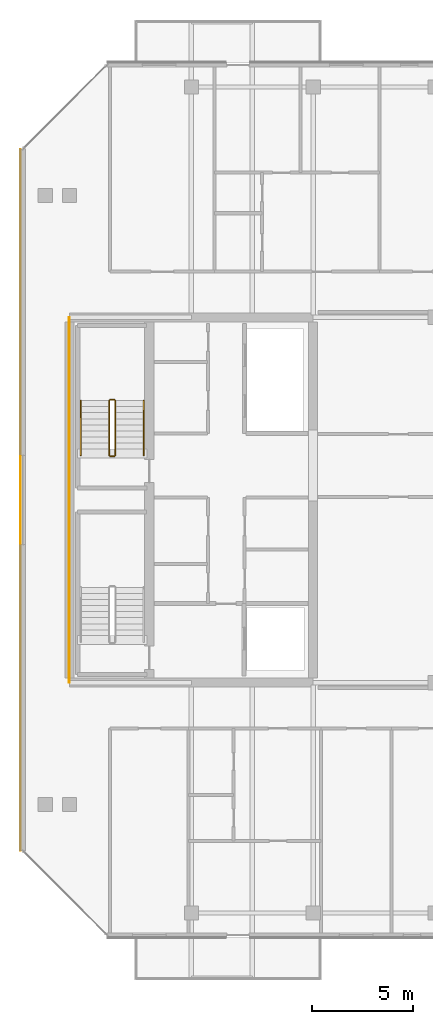
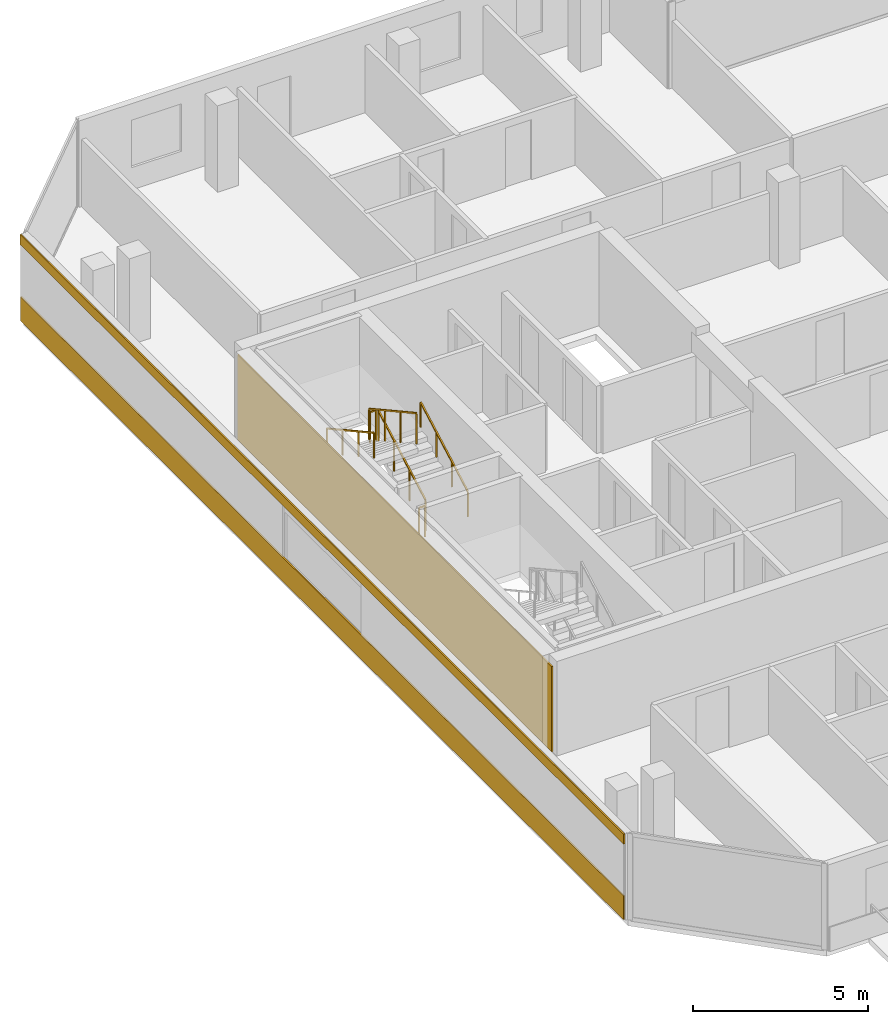
# One storey, part 22 of 24: 6 railings, 3 coverings.
"""IFC4 building model written with IfcOpenShell, lengths in metres."""

from ifc_helpers import new_model, si_unit, direction, frame, origin, origin_2d, place, context, subcontext, project, spatial, rectangle, extrude, material, layer, layer_set, type_object, element, save


model = new_model("IFC4")

# Units and contexts
model_context = context("Model", 3, precision=1e-05, world=origin(), true_north=direction((0.0, 1.0)))
body_context = subcontext(model_context, "Body", "Model", "MODEL_VIEW")
ifc_project = project(units=[si_unit("LENGTHUNIT", "METRE"), si_unit("AREAUNIT", "SQUARE_METRE"), si_unit("VOLUMEUNIT", "CUBIC_METRE"), si_unit("PLANEANGLEUNIT", "RADIAN"), si_unit("MASSUNIT", "GRAM", prefix="KILO")], contexts=[model_context])

# Site, building, storey
site_placement = place(None, origin())
site = spatial("IfcSite", under=ifc_project, at=site_placement, CompositionType="ELEMENT")
building_placement = place(site_placement, origin())
building = spatial("IfcBuilding", under=site, at=building_placement, Name="Tanjung Sevakor Pilgrim Tower", CompositionType="ELEMENT")
storey_placement = place(building_placement, frame((0.0, 0.0, 226.050048828125)))
storey = spatial("IfcBuildingStorey", under=building, at=storey_placement, Name="L63", CompositionType="ELEMENT", Elevation=226.050048828125)

# Coverings
ifc_material_1 = material(Name="Reconstructed Limestone Cladding", Category="masonry")
ifc_layer = layer(ifc_material_1, 0.044921875)
ifc_layer_set = layer_set([ifc_layer], Name="COV-CLAD-LIMESTONE")
covering_type = type_object("IfcCoveringType", Name="COV-CLAD-LIMESTONE", PredefinedType="CLADDING", material=ifc_layer_set)
covering_1_placement = place(storey_placement, frame((21.577392578125, 33.60009765625, 0.009765625), z_axis=(0.0, 0.0, 1.0), x_axis=(0.0, -1.0, 0.0)))
element("IfcCovering", 1, at=covering_1_placement, inside=storey, type_object=covering_type, Name="L63 Warm Limestone Sill Spandrel EW-L63-MAIN-15-1", PredefinedType="CLADDING", context=body_context, shape_type="SweptSolid", body=[
    extrude(rectangle(XDim=34.52880859375, YDim=0.044921875, at=origin_2d()), origin(), (0.0, 0.0, 1.0), 0.840087890625),
])
covering_2_placement = place(storey_placement, frame((21.577392578125, 33.60009765625, 2.659912109375), z_axis=(0.0, 0.0, 1.0), x_axis=(0.0, -1.0, 0.0)))
element("IfcCovering", 2, at=covering_2_placement, inside=storey, type_object=covering_type, Name="L63 Warm Limestone Cornice Spandrel EW-L63-MAIN-15", PredefinedType="CLADDING", context=body_context, shape_type="SweptSolid", body=[
    extrude(rectangle(XDim=34.56884765625, YDim=0.044921875, at=origin_2d()), origin(), (0.0, 0.0, 1.0), 0.35009765625),
])
covering_3_placement = place(storey_placement, frame((23.9775390625, 33.60009765625, 0.02001953125), z_axis=(0.0, 0.0, 1.0), x_axis=(1.0, 0.0, 0.0)))
element("IfcCovering", 3, at=covering_3_placement, inside=storey, type_object=covering_type, Name="L63 Expressed Core Warm Limestone Cladding W", PredefinedType="CLADDING", context=body_context, shape_type="SweptSolid", body=[
    extrude(rectangle(XDim=0.044921875, YDim=18.0, at=origin_2d()), origin(), (0.0, 0.0, 1.0), 2.97998046875),
])

# Railings
ifc_material_2 = material(Name="Steel S355J2", Category="steel")
railing_type_1 = type_object("IfcRailingType", Name="RL-STAIR-GUARD", PredefinedType="GUARDRAIL", material=ifc_material_2)
railing_1_placement = place(storey_placement, frame((26.25, 35.800048828125, 0.1650390625)))
element("IfcRailing", 4, at=railing_1_placement, inside=storey, type_object=railing_type_1, Name="L63 TS-W2 stair guard 1", PredefinedType="GUARDRAIL", context=body_context, shape_type="SweptSolid", body=[
    extrude(rectangle(XDim=0.0479, YDim=0.0479), frame((0.0, 0.0, 1.076171875), z_axis=(0.0, 0.876230963923, 0.481891375584), x_axis=(-1.0, 0.0, 0.0)), (0.0, 0.0, 1.0), 3.081298828125),
    extrude(rectangle(XDim=0.042, YDim=0.042), origin(), (0.0, 0.0, 1.0), 1.052001953125),
    extrude(rectangle(XDim=0.042, YDim=0.042), frame((0.0, 0.89990234375, 0.494873046875)), (0.0, 0.0, 1.0), 1.052001953125),
    extrude(rectangle(XDim=0.042, YDim=0.042), frame((0.0, 1.800048828125, 0.989990234375)), (0.0, 0.0, 1.0), 1.052001953125),
    extrude(rectangle(XDim=0.042, YDim=0.042), frame((0.0, 2.699951171875, 1.48486328125)), (0.0, 0.0, 1.0), 1.052001953125),
])
railing_2_placement = place(storey_placement, frame((26.199951171875, 38.550048828125, 1.64990234375)))
element("IfcRailing", 5, at=railing_2_placement, inside=storey, type_object=railing_type_1, Name="L63 TS-W2 stair guard 2", PredefinedType="GUARDRAIL", context=body_context, shape_type="SweptSolid", body=[
    extrude(rectangle(XDim=0.0479, YDim=0.0479), frame((0.0, 0.0, 1.076171875), z_axis=(-1.0, 0.0, 0.0), x_axis=(0.0, -1.0, 0.0)), (0.0, 0.0, 1.0), 0.199951171875),
    extrude(rectangle(XDim=0.042, YDim=0.042), origin(), (0.0, 0.0, 1.0), 1.052001953125),
    extrude(rectangle(XDim=0.042, YDim=0.042), frame((-0.199951171875, 0.0, 0.0)), (0.0, 0.0, 1.0), 1.052001953125),
])
railing_3_placement = place(storey_placement, frame((25.949951171875, 38.5, 1.81494140625)))
element("IfcRailing", 6, at=railing_3_placement, inside=storey, type_object=railing_type_1, Name="L63 TS-W2 stair guard 3", PredefinedType="GUARDRAIL", context=body_context, shape_type="SweptSolid", body=[
    extrude(rectangle(XDim=0.0479, YDim=0.0479), frame((0.0, 0.0, 1.076171875), z_axis=(0.0, -0.876197507361, 0.481952205197), x_axis=(1.0, 0.0, 0.0)), (0.0, 0.0, 1.0), 3.08154296875),
    extrude(rectangle(XDim=0.042, YDim=0.042), origin(), (0.0, 0.0, 1.0), 1.052001953125),
    extrude(rectangle(XDim=0.042, YDim=0.042), frame((0.0, -0.89990234375, 0.4951171875)), (0.0, 0.0, 1.0), 1.052001953125),
    extrude(rectangle(XDim=0.042, YDim=0.042), frame((0.0, -1.800048828125, 0.989990234375)), (0.0, 0.0, 1.0), 1.052001953125),
    extrude(rectangle(XDim=0.042, YDim=0.042), frame((0.0, -2.699951171875, 1.485107421875)), (0.0, 0.0, 1.0), 1.052001953125),
])
railing_4_placement = place(storey_placement, frame((26.199951171875, 35.75, 0.0)))
element("IfcRailing", 7, at=railing_4_placement, inside=storey, type_object=railing_type_1, Name="L63 TS-W2 stair guard 4", PredefinedType="GUARDRAIL", context=body_context, shape_type="SweptSolid", body=[
    extrude(rectangle(XDim=0.0479, YDim=0.0479), frame((0.0, 0.0, 1.076171875), z_axis=(-1.0, 0.0, 0.0), x_axis=(0.0, -1.0, 0.0)), (0.0, 0.0, 1.0), 0.199951171875),
    extrude(rectangle(XDim=0.042, YDim=0.042), origin(), (0.0, 0.0, 1.0), 1.052001953125),
    extrude(rectangle(XDim=0.042, YDim=0.042), frame((-0.199951171875, 0.0, 0.0)), (0.0, 0.0, 1.0), 1.052001953125),
])
ifc_material_3 = material(Name="Steel S355J2", Category="steel")
railing_type_2 = type_object("IfcRailingType", Name="RL-STAIR-HAND", PredefinedType="HANDRAIL", material=ifc_material_3)
railing_5_placement = place(storey_placement, frame((27.64990234375, 35.800048828125, 0.1650390625)))
element("IfcRailing", 8, at=railing_5_placement, inside=storey, type_object=railing_type_2, Name="L63 TS-W2 stair handrail 1", PredefinedType="HANDRAIL", context=body_context, shape_type="SweptSolid", body=[
    extrude(rectangle(XDim=0.0479, YDim=0.0479), frame((0.0, 0.0, 0.8759765625), z_axis=(0.0, 0.876230963923, 0.481891375584), x_axis=(-1.0, 0.0, 0.0)), (0.0, 0.0, 1.0), 3.081298828125),
    extrude(rectangle(XDim=0.042, YDim=0.042), origin(), (0.0, 0.0, 1.0), 0.851806640625),
    extrude(rectangle(XDim=0.042, YDim=0.042), frame((0.0, 0.89990234375, 0.494873046875)), (0.0, 0.0, 1.0), 0.851806640625),
    extrude(rectangle(XDim=0.042, YDim=0.042), frame((0.0, 1.800048828125, 0.989990234375)), (0.0, 0.0, 1.0), 0.851806640625),
    extrude(rectangle(XDim=0.042, YDim=0.042), frame((0.0, 2.699951171875, 1.48486328125)), (0.0, 0.0, 1.0), 0.851806640625),
])
railing_6_placement = place(storey_placement, frame((24.550048828125, 38.5, 1.81494140625)))
element("IfcRailing", 9, at=railing_6_placement, inside=storey, type_object=railing_type_2, Name="L63 TS-W2 stair handrail 2", PredefinedType="HANDRAIL", context=body_context, shape_type="SweptSolid", body=[
    extrude(rectangle(XDim=0.0479, YDim=0.0479), frame((0.0, 0.0, 0.8759765625), z_axis=(0.0, -0.876197507361, 0.481952205197), x_axis=(1.0, 0.0, 0.0)), (0.0, 0.0, 1.0), 3.08154296875),
    extrude(rectangle(XDim=0.042, YDim=0.042), origin(), (0.0, 0.0, 1.0), 0.851806640625),
    extrude(rectangle(XDim=0.042, YDim=0.042), frame((0.0, -0.89990234375, 0.4951171875)), (0.0, 0.0, 1.0), 0.851806640625),
    extrude(rectangle(XDim=0.042, YDim=0.042), frame((0.0, -1.800048828125, 0.989990234375)), (0.0, 0.0, 1.0), 0.851806640625),
    extrude(rectangle(XDim=0.042, YDim=0.042), frame((0.0, -2.699951171875, 1.485107421875)), (0.0, 0.0, 1.0), 0.851806640625),
])

save(model, "model.ifc")
